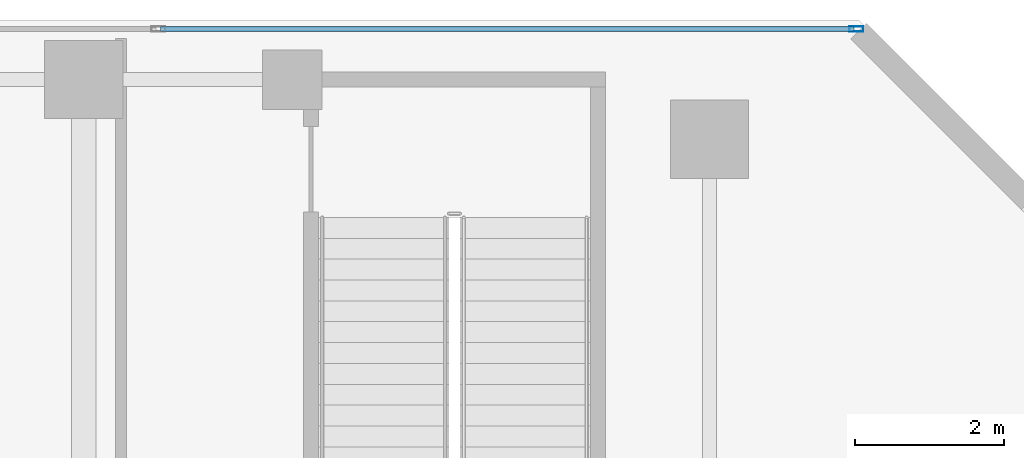
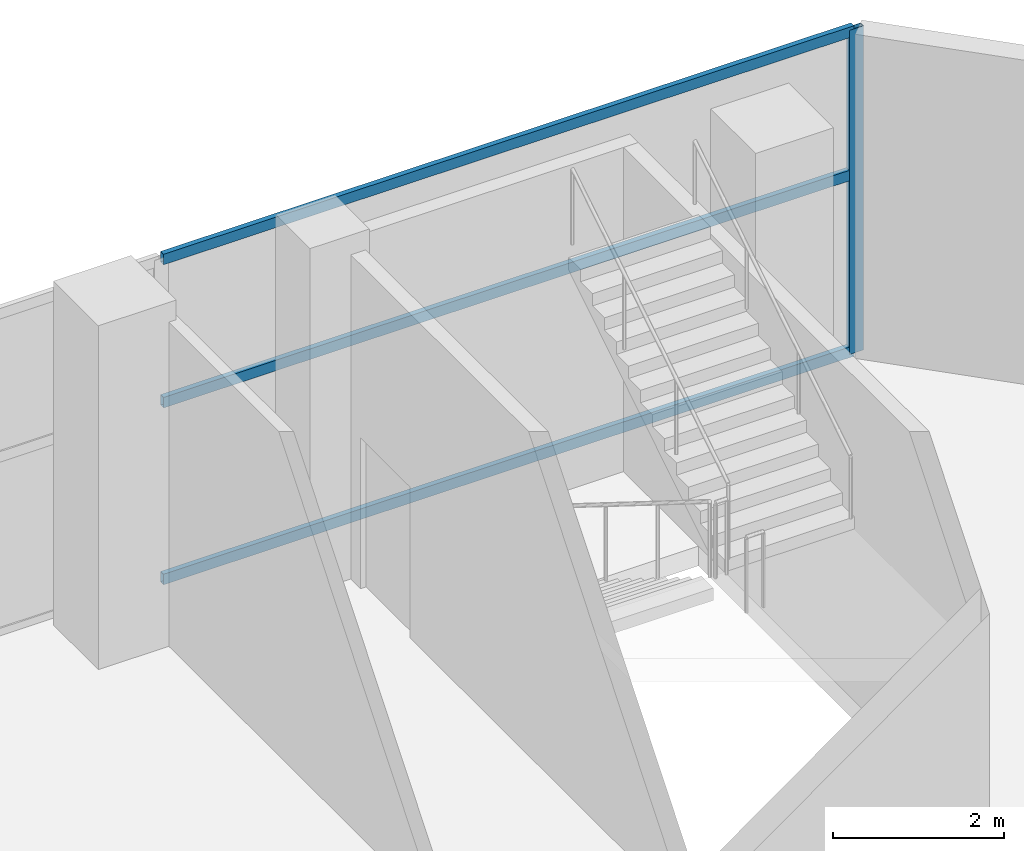
# One storey, part 30 of 39: 4 members, 1 element without a shape of its own.
"""IFC4 building model written with IfcOpenShell, lengths in metres."""

from ifc_helpers import new_model, si_unit, direction, frame, origin, origin_2d, place, context, subcontext, project, spatial, hollow_rectangle, extrude, material, layer, layer_set, material_profile, profile_set, type_object, element, aggregate, save


model = new_model("IFC4")

# Units and contexts
model_context = context("Model", 3, precision=1e-05, world=origin(), true_north=direction((0.0, 1.0)))
body_context = subcontext(model_context, "Body", "Model", "MODEL_VIEW")
ifc_project = project(units=[si_unit("LENGTHUNIT", "METRE"), si_unit("AREAUNIT", "SQUARE_METRE"), si_unit("VOLUMEUNIT", "CUBIC_METRE"), si_unit("PLANEANGLEUNIT", "RADIAN"), si_unit("MASSUNIT", "GRAM", prefix="KILO")], contexts=[model_context])

# Site, building, storey
site_placement = place(None, origin())
site = spatial("IfcSite", under=ifc_project, at=site_placement, CompositionType="ELEMENT")
building_placement = place(site_placement, origin())
building = spatial("IfcBuilding", under=site, at=building_placement, Name="Maruvema Waterfront Hotel and Observation Tower", CompositionType="ELEMENT")
storey_placement = place(building_placement, frame((0.0, 0.0, 16.449951171875)))
storey = spatial("IfcBuildingStorey", under=building, at=storey_placement, Name="L03", CompositionType="ELEMENT", Elevation=16.449951171875)

# Curtain wall, members
ifc_material_1 = material(Name="Anodised bronze aluminium and solar-control low-E IGU", Category="aluminium")
ifc_layer = layer(ifc_material_1, 0.159912109375, Name="Podium Waterfront Storefront Curtain Wall System CW-01")
ifc_layer_set = layer_set([ifc_layer], Name="Anodised bronze aluminium and solar-control low-E IGU")
curtain_wall_type = type_object("IfcCurtainWallType", Name="Podium Waterfront Storefront Curtain Wall System CW-01", PredefinedType="USERDEFINED", material=ifc_layer_set)
curtain_wall_placement = place(storey_placement, origin())
curtain_wall = element("IfcCurtainWall", 1, at=curtain_wall_placement, inside=storey, type_object=curtain_wall_type, Name="L03 Curtain Wall CW-L03-NE", ObjectType="UNITISED CURTAIN WALL", PredefinedType="USERDEFINED")
ifc_material_2 = material(Name="Anodised architectural bronze aluminium", Category="aluminium")
ifc_material_profile_1 = material_profile(ifc_material_2, hollow_rectangle(XDim=0.070068359375, YDim=0.14990234375, WallThickness=0.00390625, at=origin_2d()), Name="ALU-T70x150")
ifc_profile_set_1 = profile_set([ifc_material_profile_1], Name="Anodised architectural bronze aluminium")
member_type_1 = type_object("IfcMemberType", Name="Curtain Wall Horizontal Transom ALU-T70x150", PredefinedType="USERDEFINED", material=ifc_profile_set_1)
member_1_placement = place(storey_placement, frame((69.139892578125, 53.8798828125, 0.030029296875), z_axis=(-1.0, 0.0, 0.0), x_axis=(0.0, -1.0, 0.0)))
member_1 = element("IfcMember", 2, at=member_1_placement, type_object=member_type_1, Name="CW-01 transom 1.1", ObjectType="TRANSOM", PredefinedType="USERDEFINED", context=body_context, shape_type="SweptSolid", body=[
    extrude(hollow_rectangle(XDim=0.070068359375, YDim=0.14990234375, WallThickness=0.00390625, at=origin_2d()), origin(), (0.0, 0.0, 1.0), 9.309814453125),
])
member_2_placement = place(storey_placement, frame((69.139892578125, 53.8798828125, 2.550048828125), z_axis=(-1.0, 0.0, 0.0), x_axis=(0.0, -1.0, 0.0)))
member_2 = element("IfcMember", 3, at=member_2_placement, type_object=member_type_1, Name="CW-01 transom 1.2", ObjectType="TRANSOM", PredefinedType="USERDEFINED", context=body_context, shape_type="SweptSolid", body=[
    extrude(hollow_rectangle(XDim=0.070068359375, YDim=0.14990234375, WallThickness=0.00390625, at=origin_2d()), origin(), (0.0, 0.0, 1.0), 9.309814453125),
])
member_3_placement = place(storey_placement, frame((69.139892578125, 53.8798828125, 4.590087890625), z_axis=(-1.0, 0.0, 0.0), x_axis=(0.0, -1.0, 0.0)))
member_3 = element("IfcMember", 4, at=member_3_placement, type_object=member_type_1, Name="CW-01 transom 1.3", ObjectType="TRANSOM", PredefinedType="USERDEFINED", context=body_context, shape_type="SweptSolid", body=[
    extrude(hollow_rectangle(XDim=0.070068359375, YDim=0.14990234375, WallThickness=0.00390625, at=origin_2d()), origin(), (0.0, 0.0, 1.0), 9.309814453125),
])
ifc_material_3 = material(Name="Anodised architectural bronze aluminium", Category="aluminium")
ifc_material_profile_2 = material_profile(ifc_material_3, hollow_rectangle(XDim=0.070068359375, YDim=0.18994140625, WallThickness=0.00390625, at=origin_2d()), Name="ALU-M70x190")
ifc_profile_set_2 = profile_set([ifc_material_profile_2], Name="Anodised architectural bronze aluminium")
member_type_2 = type_object("IfcMemberType", Name="Podium Storefront Heavy Mullion ALU-M70x190", PredefinedType="MULLION", material=ifc_profile_set_2)
member_4_placement = place(storey_placement, frame((69.169921875, 53.8798828125, 0.0), z_axis=(0.0, 0.0, 1.0), x_axis=(0.0, -1.0, 0.0)))
member_4 = element("IfcMember", 5, at=member_4_placement, type_object=member_type_2, Name="CW-01 mullion 1", PredefinedType="MULLION", context=body_context, shape_type="SweptSolid", body=[
    extrude(hollow_rectangle(XDim=0.070068359375, YDim=0.18994140625, WallThickness=0.00390625, at=origin_2d()), origin(), (0.0, 0.0, 1.0), 4.6201171875),
])
aggregate(curtain_wall, [member_4, member_1, member_2, member_3])

save(model, "model.ifc")
